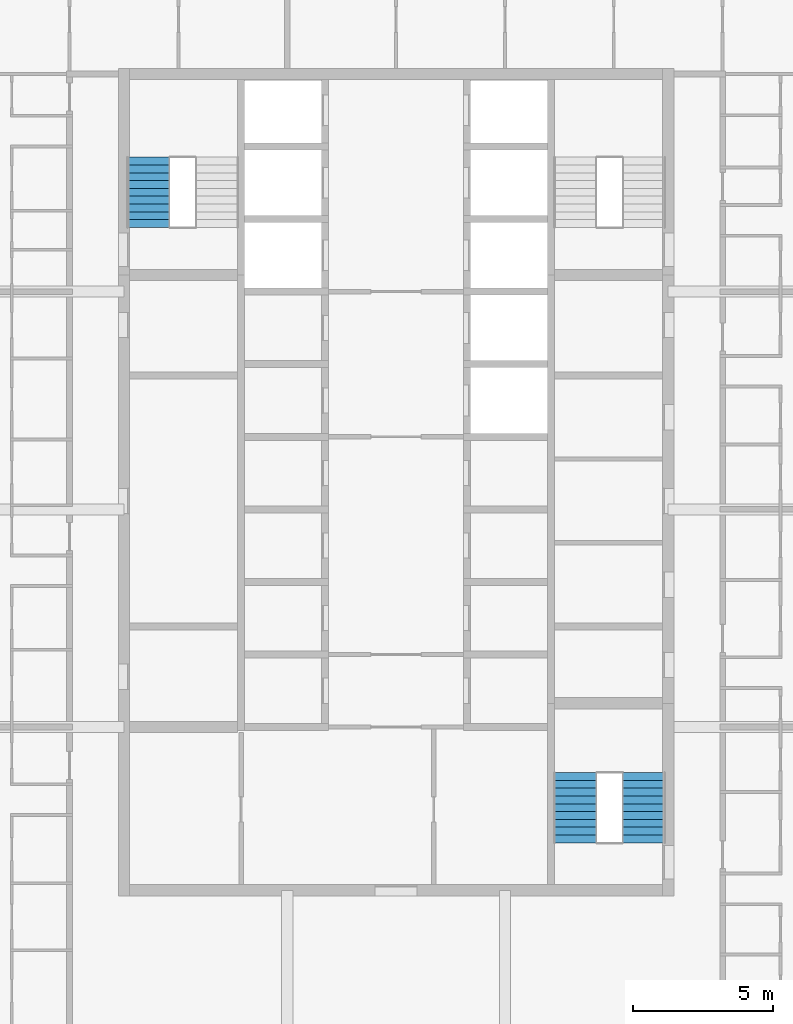
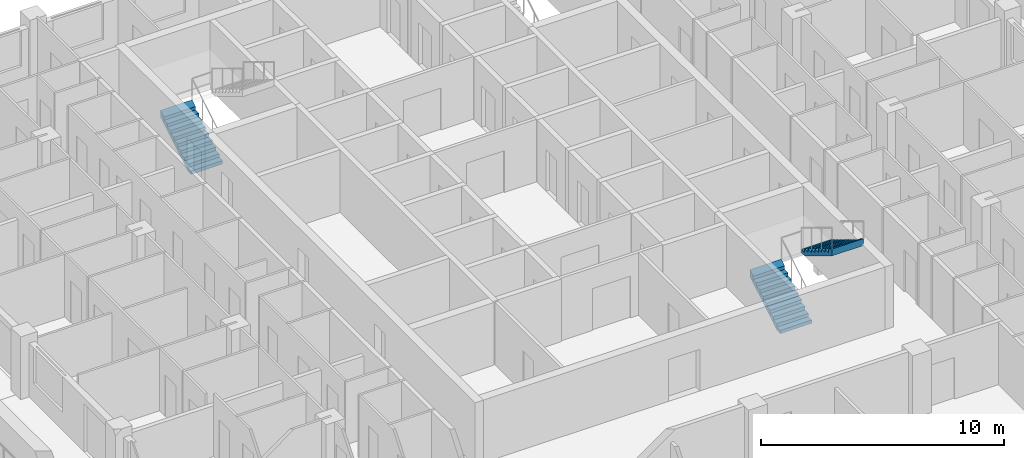
# One storey, part 13 of 15: 3 stair flights, 2 elements without a shape of their own.
"""IFC4 building model written with IfcOpenShell, lengths in metres."""

import ifcopenshell
import ifcopenshell.guid

model = None  # the IFC model being written
_history = None  # IfcOwnerHistory: only IFC2X3 demands one
_inside = {}  # id of a spatial element -> (the spatial element, [elements in it])
_under = {}  # id of a project, library or spatial element -> (it, [spatial elements below it])
_declared = {}  # id of a project -> (the project, [libraries it declares])
_typed = {}  # id of a type object -> (the type object, [elements of that type])
_made_of = {}  # id of a material, layer set ... -> (it, [elements and type objects made of it])


def new_model(schema):
    """Start an empty IFC model of exactly this schema.

    Asked for "IFC4X3", IfcOpenShell would pick the latest addendum, in which some entities
    have other attributes; the version numbers below select the first issue.
    IFC2X3 requires an IfcOwnerHistory on every rooted entity: one is made here for all.
    """
    global model, _history
    if schema == "IFC4X3":
        model = ifcopenshell.file(schema_version=(4, 3, 0, 0))
    else:
        model = ifcopenshell.file(schema=schema)
    _inside.clear()
    _under.clear()
    _declared.clear()
    _typed.clear()
    _made_of.clear()
    _history = None
    if model.schema == "IFC2X3":
        org = make("IfcOrganization", Name="unknown")
        user = make(
            "IfcPersonAndOrganization",
            ThePerson=make("IfcPerson", FamilyName="unknown"),
            TheOrganization=org,
        )
        app = make(
            "IfcApplication",
            ApplicationDeveloper=org,
            Version="unknown",
            ApplicationFullName="unknown",
            ApplicationIdentifier="unknown",
        )
        _history = make(
            "IfcOwnerHistory",
            OwningUser=user,
            OwningApplication=app,
            ChangeAction="ADDED",
            CreationDate=0,
        )
    return model


def make(cls, **values):
    """One entity of the class cls with the attributes given. An attribute that is None is left unset."""
    return model.create_entity(
        cls, **{name: value for name, value in values.items() if value is not None}
    )


def rooted(cls, **values):
    """An entity with a GlobalId (a new one), such as an element, a storey or a relation."""
    return make(cls, GlobalId=ifcopenshell.guid.new(), OwnerHistory=_history, **values)


def si_unit(unit_type, name, prefix=None):
    """IfcSIUnit, for example si_unit("LENGTHUNIT", "METRE", prefix="MILLI")."""
    return make("IfcSIUnit", UnitType=unit_type, Prefix=prefix, Name=name)


def assignment(units):
    """IfcUnitAssignment: the units of a project."""
    return None if units is None else make("IfcUnitAssignment", Units=units)


def point(xyz):
    """IfcCartesianPoint."""
    return None if xyz is None else make("IfcCartesianPoint", Coordinates=xyz)


def direction(xyz):
    """IfcDirection."""
    return None if xyz is None else make("IfcDirection", DirectionRatios=xyz)


def frame(location, z_axis=None, x_axis=None):
    """IfcAxis2Placement3D, a coordinate frame: its origin and axes. An axis left out is left unset."""
    return make(
        "IfcAxis2Placement3D",
        Location=point(location),
        Axis=direction(z_axis),
        RefDirection=direction(x_axis),
    )


def origin():
    """The frame at (0, 0, 0) with its axes left unset."""
    return frame((0.0, 0.0, 0.0))


def place(relative_to, where):
    """IfcLocalPlacement: puts the frame where relative to a parent placement (None: the world)."""
    return make(
        "IfcLocalPlacement", PlacementRelTo=relative_to, RelativePlacement=where
    )


def context(
    kind, dimensions, precision=None, world=None, true_north=None, identifier=None
):
    """IfcGeometricRepresentationContext, for example the 3D "Model" context."""
    return make(
        "IfcGeometricRepresentationContext",
        ContextIdentifier=identifier,
        ContextType=kind,
        CoordinateSpaceDimension=dimensions,
        Precision=precision,
        WorldCoordinateSystem=world,
        TrueNorth=true_north,
    )


def subcontext(parent, identifier, kind, view, scale=None):
    """IfcGeometricRepresentationSubContext, for example "Body" below "Model"."""
    return make(
        "IfcGeometricRepresentationSubContext",
        ContextIdentifier=identifier,
        ContextType=kind,
        ParentContext=parent,
        TargetScale=scale,
        TargetView=view,
    )


def project(units=None, contexts=None):
    """IfcProject with its units and contexts."""
    return rooted(
        "IfcProject",
        Name="project",
        RepresentationContexts=contexts,
        UnitsInContext=assignment(units),
    )


def spatial(cls, under=None, at=None, **own):
    """A site, building, storey or space (cls), placed at a placement, below another one or the project."""
    s = rooted(cls, ObjectPlacement=at, **own)
    if under is not None:
        _under.setdefault(under.id(), (under, []))[1].append(s)
    return s


def point_list(points):
    """IfcCartesianPointList2D or 3D."""
    cls = (
        "IfcCartesianPointList2D" if len(points[0]) == 2 else "IfcCartesianPointList3D"
    )
    return make(cls, CoordList=points)


def triangles(points, corners, closed=None, point_numbers=None):
    """IfcTriangulatedFaceSet: each triangle names its three corners, points numbered from 1."""
    return make(
        "IfcTriangulatedFaceSet",
        Coordinates=point_list(points),
        Closed=closed,
        CoordIndex=corners,
        PnIndex=point_numbers,
    )


def shape(context_of_items, identifier, shape_type, items):
    """IfcShapeRepresentation: the items that make up one representation, for example the "Body"."""
    return make(
        "IfcShapeRepresentation",
        ContextOfItems=context_of_items,
        RepresentationIdentifier=identifier,
        RepresentationType=shape_type,
        Items=items,
    )


def material(Name=None, Category=None):
    """IfcMaterial."""
    return make("IfcMaterial", Name=Name, Category=Category)


def made_of(thing, what):
    """Note that an element or type object is made of a material, layer set ...; save() writes the relation."""
    if what is not None:
        _made_of.setdefault(what.id(), (what, []))[1].append(thing)
    return thing


def type_object(cls, material=None, **own):
    """A type object (cls), such as IfcWallType, which elements share."""
    return made_of(rooted(cls, **own), material)


def element(
    cls,
    number,
    at=None,
    inside=None,
    cuts=None,
    type_object=None,
    material=None,
    context=None,
    identifier="Body",
    shape_type=None,
    held_by="IfcProductDefinitionShape",
    body=None,
    shapes=None,
    **own,
):
    """One element of the class cls, such as IfcWall. Its Tag is "e" and its number.

    at: its placement. inside: the storey or other place that contains it. cuts: it is an
    opening in that element (IfcRelVoidsElement). A single representation is given by context,
    identifier, shape_type and body (its items); several are given by shapes. held_by: the class
    of the entity that holds the representations. save() writes the other relations.
    """
    e = rooted(cls, Tag="e%d" % number, ObjectPlacement=at, **own)
    if body is not None:
        shapes = [shape(context, identifier, shape_type, body)]
    if shapes is not None:
        e.Representation = make(held_by, Representations=shapes)
    if inside is not None:
        _inside.setdefault(inside.id(), (inside, []))[1].append(e)
    if cuts is not None:
        rooted(
            "IfcRelVoidsElement", RelatingBuildingElement=cuts, RelatedOpeningElement=e
        )
    if type_object is not None:
        _typed.setdefault(type_object.id(), (type_object, []))[1].append(e)
    return made_of(e, material)


def aggregate(whole, parts):
    """IfcRelAggregates: a whole, such as a stair, and the parts it consists of."""
    return rooted("IfcRelAggregates", RelatingObject=whole, RelatedObjects=parts)


def save(model, path):
    """Write the relations noted so far, then the file.

    IfcRelAggregates (storeys below a building ...), IfcRelContainedInSpatialStructure (elements
    in a storey), IfcRelDefinesByType, IfcRelAssociatesMaterial and IfcRelDeclares: one each for
    every whole, place, type object, material and project.
    """
    for whole, parts in _under.values():
        aggregate(whole, parts)
    for where, things in _inside.values():
        rooted(
            "IfcRelContainedInSpatialStructure",
            RelatedElements=things,
            RelatingStructure=where,
        )
    for kind, things in _typed.values():
        rooted("IfcRelDefinesByType", RelatedObjects=things, RelatingType=kind)
    for what, things in _made_of.values():
        rooted("IfcRelAssociatesMaterial", RelatedObjects=things, RelatingMaterial=what)
    for by, libraries in _declared.values():
        rooted("IfcRelDeclares", RelatingContext=by, RelatedDefinitions=libraries)
    model.write(path)


model = new_model("IFC4")

# Units and contexts
model_context = context("Model", 3, precision=1e-05, world=origin(), true_north=direction((0.0, 1.0)))
body_context = subcontext(model_context, "Body", "Model", "MODEL_VIEW")
ifc_project = project(units=[si_unit("LENGTHUNIT", "METRE"), si_unit("AREAUNIT", "SQUARE_METRE"), si_unit("VOLUMEUNIT", "CUBIC_METRE"), si_unit("PLANEANGLEUNIT", "RADIAN"), si_unit("MASSUNIT", "GRAM", prefix="KILO")], contexts=[model_context])

# Site, building, storey
site_placement = place(None, origin())
site = spatial("IfcSite", under=ifc_project, at=site_placement, CompositionType="ELEMENT")
building_placement = place(site_placement, origin())
building = spatial("IfcBuilding", under=site, at=building_placement, Name="Ludao Terraces", CompositionType="ELEMENT")
storey_placement = place(building_placement, frame((0.0, 0.0, 197.300048828125)))
storey = spatial("IfcBuildingStorey", under=building, at=storey_placement, Name="L53", CompositionType="ELEMENT", Elevation=197.300048828125)

# Stair, stair flight
ifc_material = material(Name="Concrete C40", Category="concrete")
stair_type = type_object("IfcStairType", Name="INT Stair", PredefinedType="HALF_TURN_STAIR", material=ifc_material)
stair_1_placement = place(storey_placement, origin())
stair_1 = element("IfcStair", 1, at=stair_1_placement, inside=storey, type_object=stair_type, Name="EXIT STAIR 1", PredefinedType="HALF_TURN_STAIR")
stair_flight_type = type_object("IfcStairFlightType", Name="INT Stair flight", PredefinedType="STRAIGHT", material=ifc_material)
stair_flight_1_placement = place(storey_placement, frame((76.125, 79.0, 0.0), z_axis=(0.0, 0.0, 1.0), x_axis=(0.0, 1.0, 0.0)))
stair_flight_1 = element("IfcStairFlight", 2, at=stair_flight_1_placement, type_object=stair_flight_type, Name="ST1 flight 1", NumberOfRisers=10, NumberOfTreads=9, PredefinedType="STRAIGHT", RiserHeight=0.17, TreadLength=0.28, context=body_context, shape_type="Tessellation", body=[
    triangles([(0.0, -0.75, 0.0), (0.0, -0.5, 0.0), (0.0, -0.25, 0.0), (0.0, 0.0, 0.0), (0.0, 0.25, 0.0), (0.0, 0.5, 0.0), (0.0, 0.75, 0.0), (0.0, -0.75, 0.169921875), (0.0, -0.5, 0.169921875), (0.0, -0.25, 0.169921875), (0.0, 0.0, 0.169921875), (0.0, 0.25, 0.169921875), (0.0, 0.5, 0.169921875), (0.0, 0.75, 0.169921875), (0.280029296875, -0.75, 0.169921875), (0.280029296875, -0.5, 0.169921875), (0.280029296875, -0.25, 0.169921875), (0.280029296875, 0.0, 0.169921875), (0.280029296875, 0.25, 0.169921875), (0.280029296875, 0.5, 0.169921875), (0.280029296875, 0.75, 0.169921875), (0.280029296875, -0.75, 0.340087890625), (0.280029296875, -0.5, 0.340087890625), (0.280029296875, -0.25, 0.340087890625), (0.280029296875, 0.0, 0.340087890625), (0.280029296875, 0.25, 0.340087890625), (0.280029296875, 0.5, 0.340087890625), (0.280029296875, 0.75, 0.340087890625), (0.56005859375, -0.75, 0.340087890625), (0.56005859375, -0.5, 0.340087890625), (0.56005859375, -0.25, 0.340087890625), (0.56005859375, 0.0, 0.340087890625), (0.56005859375, 0.25, 0.340087890625), (0.56005859375, 0.5, 0.340087890625), (0.56005859375, 0.75, 0.340087890625), (0.56005859375, -0.75, 0.510009765625), (0.56005859375, -0.5, 0.510009765625), (0.56005859375, -0.25, 0.510009765625), (0.56005859375, 0.0, 0.510009765625), (0.56005859375, 0.25, 0.510009765625), (0.56005859375, 0.5, 0.510009765625), (0.56005859375, 0.75, 0.510009765625), (0.840087890625, -0.75, 0.510009765625), (0.840087890625, -0.5, 0.510009765625), (0.840087890625, -0.25, 0.510009765625), (0.840087890625, 0.0, 0.510009765625), (0.840087890625, 0.25, 0.510009765625), (0.840087890625, 0.5, 0.510009765625), (0.840087890625, 0.75, 0.510009765625), (0.840087890625, -0.75, 0.679931640625), (0.840087890625, -0.5, 0.679931640625), (0.840087890625, -0.25, 0.679931640625), (0.840087890625, 0.0, 0.679931640625), (0.840087890625, 0.25, 0.679931640625), (0.840087890625, 0.5, 0.679931640625), (0.840087890625, 0.75, 0.679931640625), (1.1201171875, -0.75, 0.679931640625), (1.1201171875, -0.5, 0.679931640625), (1.1201171875, -0.25, 0.679931640625), (1.1201171875, 0.0, 0.679931640625), (1.1201171875, 0.25, 0.679931640625), (1.1201171875, 0.5, 0.679931640625), (1.1201171875, 0.75, 0.679931640625), (1.1201171875, -0.75, 0.85009765625), (1.1201171875, -0.5, 0.85009765625), (1.1201171875, -0.25, 0.85009765625), (1.1201171875, 0.0, 0.85009765625), (1.1201171875, 0.25, 0.85009765625), (1.1201171875, 0.5, 0.85009765625), (1.1201171875, 0.75, 0.85009765625), (1.39990234375, -0.75, 0.85009765625), (1.39990234375, -0.5, 0.85009765625), (1.39990234375, -0.25, 0.85009765625), (1.39990234375, 0.0, 0.85009765625), (1.39990234375, 0.25, 0.85009765625), (1.39990234375, 0.5, 0.85009765625), (1.39990234375, 0.75, 0.85009765625), (1.39990234375, -0.75, 1.02001953125), (1.39990234375, -0.5, 1.02001953125), (1.39990234375, -0.25, 1.02001953125), (1.39990234375, 0.0, 1.02001953125), (1.39990234375, 0.25, 1.02001953125), (1.39990234375, 0.5, 1.02001953125), (1.39990234375, 0.75, 1.02001953125), (1.679931640625, -0.75, 1.02001953125), (1.679931640625, -0.5, 1.02001953125), (1.679931640625, -0.25, 1.02001953125), (1.679931640625, 0.0, 1.02001953125), (1.679931640625, 0.25, 1.02001953125), (1.679931640625, 0.5, 1.02001953125), (1.679931640625, 0.75, 1.02001953125), (1.679931640625, -0.75, 1.18994140625), (1.679931640625, -0.5, 1.18994140625), (1.679931640625, -0.25, 1.18994140625), (1.679931640625, 0.0, 1.18994140625), (1.679931640625, 0.25, 1.18994140625), (1.679931640625, 0.5, 1.18994140625), (1.679931640625, 0.75, 1.18994140625), (1.9599609375, -0.75, 1.18994140625), (1.9599609375, -0.5, 1.18994140625), (1.9599609375, -0.25, 1.18994140625), (1.9599609375, 0.0, 1.18994140625), (1.9599609375, 0.25, 1.18994140625), (1.9599609375, 0.5, 1.18994140625), (1.9599609375, 0.75, 1.18994140625), (1.9599609375, -0.75, 1.360107421875), (1.9599609375, -0.5, 1.360107421875), (1.9599609375, -0.25, 1.360107421875), (1.9599609375, 0.0, 1.360107421875), (1.9599609375, 0.25, 1.360107421875), (1.9599609375, 0.5, 1.360107421875), (1.9599609375, 0.75, 1.360107421875), (2.239990234375, -0.75, 1.360107421875), (2.239990234375, -0.5, 1.360107421875), (2.239990234375, -0.25, 1.360107421875), (2.239990234375, 0.0, 1.360107421875), (2.239990234375, 0.25, 1.360107421875), (2.239990234375, 0.5, 1.360107421875), (2.239990234375, 0.75, 1.360107421875), (2.239990234375, -0.75, 1.530029296875), (2.239990234375, -0.5, 1.530029296875), (2.239990234375, -0.25, 1.530029296875), (2.239990234375, 0.0, 1.530029296875), (2.239990234375, 0.25, 1.530029296875), (2.239990234375, 0.5, 1.530029296875), (2.239990234375, 0.75, 1.530029296875), (2.52001953125, -0.75, 1.699951171875), (2.52001953125, -0.5, 1.699951171875), (2.52001953125, -0.25, 1.699951171875), (2.52001953125, 0.0, 1.699951171875), (2.52001953125, 0.25, 1.699951171875), (2.52001953125, 0.5, 1.699951171875), (2.52001953125, 0.75, 1.699951171875), (2.52001953125, -0.75, 1.354736328125), (2.52001953125, -0.5, 1.354736328125), (2.52001953125, -0.25, 1.354736328125), (2.52001953125, 0.0, 1.354736328125), (2.52001953125, 0.25, 1.354736328125), (2.52001953125, 0.5, 1.354736328125), (2.52001953125, 0.75, 1.354736328125), (0.288818359375, -0.75, 0.0), (0.288818359375, -0.5, 0.0), (0.288818359375, -0.25, 0.0), (0.288818359375, 0.0, 0.0), (0.288818359375, 0.25, 0.0), (0.288818359375, 0.5, 0.0), (0.288818359375, 0.75, 0.0)], [[1, 141, 134], [7, 140, 147], [134, 127, 120], [140, 126, 133], [134, 120, 113], [140, 119, 126], [134, 113, 106], [140, 112, 119], [134, 106, 99], [140, 105, 112], [99, 92, 85], [105, 91, 98], [134, 99, 85], [140, 91, 105], [85, 78, 71], [91, 77, 84], [134, 85, 71], [140, 77, 91], [71, 64, 57], [77, 63, 70], [134, 71, 57], [140, 63, 77], [57, 50, 43], [63, 49, 56], [134, 57, 43], [140, 49, 63], [43, 36, 29], [49, 35, 42], [134, 43, 29], [140, 35, 49], [29, 22, 15], [35, 21, 28], [134, 29, 15], [140, 21, 35], [1, 134, 15], [7, 21, 140], [15, 8, 1], [21, 7, 14], [1, 9, 2], [1, 8, 9], [2, 10, 3], [2, 9, 10], [3, 11, 4], [3, 10, 11], [4, 12, 5], [4, 11, 12], [5, 13, 6], [5, 12, 13], [6, 14, 7], [6, 13, 14], [8, 16, 9], [8, 15, 16], [9, 17, 10], [9, 16, 17], [10, 18, 11], [10, 17, 18], [11, 19, 12], [11, 18, 19], [12, 20, 13], [12, 19, 20], [13, 21, 14], [13, 20, 21], [15, 23, 16], [15, 22, 23], [16, 24, 17], [16, 23, 24], [17, 25, 18], [17, 24, 25], [18, 26, 19], [18, 25, 26], [19, 27, 20], [19, 26, 27], [20, 28, 21], [20, 27, 28], [22, 30, 23], [22, 29, 30], [23, 31, 24], [23, 30, 31], [24, 32, 25], [24, 31, 32], [25, 33, 26], [25, 32, 33], [26, 34, 27], [26, 33, 34], [27, 35, 28], [27, 34, 35], [29, 37, 30], [29, 36, 37], [30, 38, 31], [30, 37, 38], [31, 39, 32], [31, 38, 39], [32, 40, 33], [32, 39, 40], [33, 41, 34], [33, 40, 41], [34, 42, 35], [34, 41, 42], [36, 44, 37], [36, 43, 44], [37, 45, 38], [37, 44, 45], [38, 46, 39], [38, 45, 46], [39, 47, 40], [39, 46, 47], [40, 48, 41], [40, 47, 48], [41, 49, 42], [41, 48, 49], [43, 51, 44], [43, 50, 51], [44, 52, 45], [44, 51, 52], [45, 53, 46], [45, 52, 53], [46, 54, 47], [46, 53, 54], [47, 55, 48], [47, 54, 55], [48, 56, 49], [48, 55, 56], [50, 58, 51], [50, 57, 58], [51, 59, 52], [51, 58, 59], [52, 60, 53], [52, 59, 60], [53, 61, 54], [53, 60, 61], [54, 62, 55], [54, 61, 62], [55, 63, 56], [55, 62, 63], [57, 65, 58], [57, 64, 65], [58, 66, 59], [58, 65, 66], [59, 67, 60], [59, 66, 67], [60, 68, 61], [60, 67, 68], [61, 69, 62], [61, 68, 69], [62, 70, 63], [62, 69, 70], [64, 72, 65], [64, 71, 72], [65, 73, 66], [65, 72, 73], [66, 74, 67], [66, 73, 74], [67, 75, 68], [67, 74, 75], [68, 76, 69], [68, 75, 76], [69, 77, 70], [69, 76, 77], [71, 79, 72], [71, 78, 79], [72, 80, 73], [72, 79, 80], [73, 81, 74], [73, 80, 81], [74, 82, 75], [74, 81, 82], [75, 83, 76], [75, 82, 83], [76, 84, 77], [76, 83, 84], [78, 86, 79], [78, 85, 86], [79, 87, 80], [79, 86, 87], [80, 88, 81], [80, 87, 88], [81, 89, 82], [81, 88, 89], [82, 90, 83], [82, 89, 90], [83, 91, 84], [83, 90, 91], [85, 93, 86], [85, 92, 93], [86, 94, 87], [86, 93, 94], [87, 95, 88], [87, 94, 95], [88, 96, 89], [88, 95, 96], [89, 97, 90], [89, 96, 97], [90, 98, 91], [90, 97, 98], [92, 100, 93], [92, 99, 100], [93, 101, 94], [93, 100, 101], [94, 102, 95], [94, 101, 102], [95, 103, 96], [95, 102, 103], [96, 104, 97], [96, 103, 104], [97, 105, 98], [97, 104, 105], [99, 107, 100], [99, 106, 107], [100, 108, 101], [100, 107, 108], [101, 109, 102], [101, 108, 109], [102, 110, 103], [102, 109, 110], [103, 111, 104], [103, 110, 111], [104, 112, 105], [104, 111, 112], [106, 114, 107], [106, 113, 114], [107, 115, 108], [107, 114, 115], [108, 116, 109], [108, 115, 116], [109, 117, 110], [109, 116, 117], [110, 118, 111], [110, 117, 118], [111, 119, 112], [111, 118, 119], [113, 121, 114], [113, 120, 121], [114, 122, 115], [114, 121, 122], [115, 123, 116], [115, 122, 123], [116, 124, 117], [116, 123, 124], [117, 125, 118], [117, 124, 125], [118, 126, 119], [118, 125, 126], [120, 128, 121], [120, 127, 128], [121, 129, 122], [121, 128, 129], [122, 130, 123], [122, 129, 130], [123, 131, 124], [123, 130, 131], [124, 132, 125], [124, 131, 132], [125, 133, 126], [125, 132, 133], [127, 135, 128], [127, 134, 135], [128, 136, 129], [128, 135, 136], [129, 137, 130], [129, 136, 137], [130, 138, 131], [130, 137, 138], [131, 139, 132], [131, 138, 139], [132, 140, 133], [132, 139, 140], [134, 142, 135], [134, 141, 142], [135, 143, 136], [135, 142, 143], [136, 144, 137], [136, 143, 144], [137, 145, 138], [137, 144, 145], [138, 146, 139], [138, 145, 146], [139, 147, 140], [139, 146, 147], [141, 2, 142], [141, 1, 2], [142, 3, 143], [142, 2, 3], [143, 4, 144], [143, 3, 4], [144, 5, 145], [144, 4, 5], [145, 6, 146], [145, 5, 6], [146, 7, 147], [146, 6, 7]], closed=True),
])
aggregate(stair_1, [stair_flight_1])

# Stair, stair flights
stair_2_placement = place(storey_placement, origin())
stair_2 = element("IfcStair", 3, at=stair_2_placement, inside=storey, type_object=stair_type, Name="EXIT STAIR 3", PredefinedType="HALF_TURN_STAIR")
stair_flight_2_placement = place(storey_placement, frame((91.425048828125, 56.949951171875, 0.0), z_axis=(0.0, 0.0, 1.0), x_axis=(0.0, 1.0, 0.0)))
stair_flight_2 = element("IfcStairFlight", 4, at=stair_flight_2_placement, type_object=stair_flight_type, Name="ST3 flight 1", NumberOfRisers=10, NumberOfTreads=9, PredefinedType="STRAIGHT", RiserHeight=0.17, TreadLength=0.28, context=body_context, shape_type="Tessellation", body=[
    triangles([(0.0, -0.75, 0.0), (0.0, -0.5, 0.0), (0.0, -0.25, 0.0), (0.0, 0.0, 0.0), (0.0, 0.25, 0.0), (0.0, 0.5, 0.0), (0.0, 0.75, 0.0), (0.0, -0.75, 0.169921875), (0.0, -0.5, 0.169921875), (0.0, -0.25, 0.169921875), (0.0, 0.0, 0.169921875), (0.0, 0.25, 0.169921875), (0.0, 0.5, 0.169921875), (0.0, 0.75, 0.169921875), (0.280029296875, -0.75, 0.169921875), (0.280029296875, -0.5, 0.169921875), (0.280029296875, -0.25, 0.169921875), (0.280029296875, 0.0, 0.169921875), (0.280029296875, 0.25, 0.169921875), (0.280029296875, 0.5, 0.169921875), (0.280029296875, 0.75, 0.169921875), (0.280029296875, -0.75, 0.340087890625), (0.280029296875, -0.5, 0.340087890625), (0.280029296875, -0.25, 0.340087890625), (0.280029296875, 0.0, 0.340087890625), (0.280029296875, 0.25, 0.340087890625), (0.280029296875, 0.5, 0.340087890625), (0.280029296875, 0.75, 0.340087890625), (0.56005859375, -0.75, 0.340087890625), (0.56005859375, -0.5, 0.340087890625), (0.56005859375, -0.25, 0.340087890625), (0.56005859375, 0.0, 0.340087890625), (0.56005859375, 0.25, 0.340087890625), (0.56005859375, 0.5, 0.340087890625), (0.56005859375, 0.75, 0.340087890625), (0.56005859375, -0.75, 0.510009765625), (0.56005859375, -0.5, 0.510009765625), (0.56005859375, -0.25, 0.510009765625), (0.56005859375, 0.0, 0.510009765625), (0.56005859375, 0.25, 0.510009765625), (0.56005859375, 0.5, 0.510009765625), (0.56005859375, 0.75, 0.510009765625), (0.840087890625, -0.75, 0.510009765625), (0.840087890625, -0.5, 0.510009765625), (0.840087890625, -0.25, 0.510009765625), (0.840087890625, 0.0, 0.510009765625), (0.840087890625, 0.25, 0.510009765625), (0.840087890625, 0.5, 0.510009765625), (0.840087890625, 0.75, 0.510009765625), (0.840087890625, -0.75, 0.679931640625), (0.840087890625, -0.5, 0.679931640625), (0.840087890625, -0.25, 0.679931640625), (0.840087890625, 0.0, 0.679931640625), (0.840087890625, 0.25, 0.679931640625), (0.840087890625, 0.5, 0.679931640625), (0.840087890625, 0.75, 0.679931640625), (1.1201171875, -0.75, 0.679931640625), (1.1201171875, -0.5, 0.679931640625), (1.1201171875, -0.25, 0.679931640625), (1.1201171875, 0.0, 0.679931640625), (1.1201171875, 0.25, 0.679931640625), (1.1201171875, 0.5, 0.679931640625), (1.1201171875, 0.75, 0.679931640625), (1.1201171875, -0.75, 0.85009765625), (1.1201171875, -0.5, 0.85009765625), (1.1201171875, -0.25, 0.85009765625), (1.1201171875, 0.0, 0.85009765625), (1.1201171875, 0.25, 0.85009765625), (1.1201171875, 0.5, 0.85009765625), (1.1201171875, 0.75, 0.85009765625), (1.39990234375, -0.75, 0.85009765625), (1.39990234375, -0.5, 0.85009765625), (1.39990234375, -0.25, 0.85009765625), (1.39990234375, 0.0, 0.85009765625), (1.39990234375, 0.25, 0.85009765625), (1.39990234375, 0.5, 0.85009765625), (1.39990234375, 0.75, 0.85009765625), (1.39990234375, -0.75, 1.02001953125), (1.39990234375, -0.5, 1.02001953125), (1.39990234375, -0.25, 1.02001953125), (1.39990234375, 0.0, 1.02001953125), (1.39990234375, 0.25, 1.02001953125), (1.39990234375, 0.5, 1.02001953125), (1.39990234375, 0.75, 1.02001953125), (1.679931640625, -0.75, 1.02001953125), (1.679931640625, -0.5, 1.02001953125), (1.679931640625, -0.25, 1.02001953125), (1.679931640625, 0.0, 1.02001953125), (1.679931640625, 0.25, 1.02001953125), (1.679931640625, 0.5, 1.02001953125), (1.679931640625, 0.75, 1.02001953125), (1.679931640625, -0.75, 1.18994140625), (1.679931640625, -0.5, 1.18994140625), (1.679931640625, -0.25, 1.18994140625), (1.679931640625, 0.0, 1.18994140625), (1.679931640625, 0.25, 1.18994140625), (1.679931640625, 0.5, 1.18994140625), (1.679931640625, 0.75, 1.18994140625), (1.9599609375, -0.75, 1.18994140625), (1.9599609375, -0.5, 1.18994140625), (1.9599609375, -0.25, 1.18994140625), (1.9599609375, 0.0, 1.18994140625), (1.9599609375, 0.25, 1.18994140625), (1.9599609375, 0.5, 1.18994140625), (1.9599609375, 0.75, 1.18994140625), (1.9599609375, -0.75, 1.360107421875), (1.9599609375, -0.5, 1.360107421875), (1.9599609375, -0.25, 1.360107421875), (1.9599609375, 0.0, 1.360107421875), (1.9599609375, 0.25, 1.360107421875), (1.9599609375, 0.5, 1.360107421875), (1.9599609375, 0.75, 1.360107421875), (2.239990234375, -0.75, 1.360107421875), (2.239990234375, -0.5, 1.360107421875), (2.239990234375, -0.25, 1.360107421875), (2.239990234375, 0.0, 1.360107421875), (2.239990234375, 0.25, 1.360107421875), (2.239990234375, 0.5, 1.360107421875), (2.239990234375, 0.75, 1.360107421875), (2.239990234375, -0.75, 1.530029296875), (2.239990234375, -0.5, 1.530029296875), (2.239990234375, -0.25, 1.530029296875), (2.239990234375, 0.0, 1.530029296875), (2.239990234375, 0.25, 1.530029296875), (2.239990234375, 0.5, 1.530029296875), (2.239990234375, 0.75, 1.530029296875), (2.52001953125, -0.75, 1.699951171875), (2.52001953125, -0.5, 1.699951171875), (2.52001953125, -0.25, 1.699951171875), (2.52001953125, 0.0, 1.699951171875), (2.52001953125, 0.25, 1.699951171875), (2.52001953125, 0.5, 1.699951171875), (2.52001953125, 0.75, 1.699951171875), (2.52001953125, -0.75, 1.354736328125), (2.52001953125, -0.5, 1.354736328125), (2.52001953125, -0.25, 1.354736328125), (2.52001953125, 0.0, 1.354736328125), (2.52001953125, 0.25, 1.354736328125), (2.52001953125, 0.5, 1.354736328125), (2.52001953125, 0.75, 1.354736328125), (0.288818359375, -0.75, 0.0), (0.288818359375, -0.5, 0.0), (0.288818359375, -0.25, 0.0), (0.288818359375, 0.0, 0.0), (0.288818359375, 0.25, 0.0), (0.288818359375, 0.5, 0.0), (0.288818359375, 0.75, 0.0)], [[1, 141, 134], [7, 140, 147], [134, 127, 120], [140, 126, 133], [134, 120, 113], [140, 119, 126], [134, 113, 106], [140, 112, 119], [134, 106, 99], [140, 105, 112], [99, 92, 85], [105, 91, 98], [134, 99, 85], [140, 91, 105], [85, 78, 71], [91, 77, 84], [134, 85, 71], [140, 77, 91], [71, 64, 57], [77, 63, 70], [134, 71, 57], [140, 63, 77], [57, 50, 43], [63, 49, 56], [134, 57, 43], [140, 49, 63], [43, 36, 29], [49, 35, 42], [134, 43, 29], [140, 35, 49], [29, 22, 15], [35, 21, 28], [134, 29, 15], [140, 21, 35], [1, 134, 15], [7, 21, 140], [15, 8, 1], [21, 7, 14], [1, 9, 2], [1, 8, 9], [2, 10, 3], [2, 9, 10], [3, 11, 4], [3, 10, 11], [4, 12, 5], [4, 11, 12], [5, 13, 6], [5, 12, 13], [6, 14, 7], [6, 13, 14], [8, 16, 9], [8, 15, 16], [9, 17, 10], [9, 16, 17], [10, 18, 11], [10, 17, 18], [11, 19, 12], [11, 18, 19], [12, 20, 13], [12, 19, 20], [13, 21, 14], [13, 20, 21], [15, 23, 16], [15, 22, 23], [16, 24, 17], [16, 23, 24], [17, 25, 18], [17, 24, 25], [18, 26, 19], [18, 25, 26], [19, 27, 20], [19, 26, 27], [20, 28, 21], [20, 27, 28], [22, 30, 23], [22, 29, 30], [23, 31, 24], [23, 30, 31], [24, 32, 25], [24, 31, 32], [25, 33, 26], [25, 32, 33], [26, 34, 27], [26, 33, 34], [27, 35, 28], [27, 34, 35], [29, 37, 30], [29, 36, 37], [30, 38, 31], [30, 37, 38], [31, 39, 32], [31, 38, 39], [32, 40, 33], [32, 39, 40], [33, 41, 34], [33, 40, 41], [34, 42, 35], [34, 41, 42], [36, 44, 37], [36, 43, 44], [37, 45, 38], [37, 44, 45], [38, 46, 39], [38, 45, 46], [39, 47, 40], [39, 46, 47], [40, 48, 41], [40, 47, 48], [41, 49, 42], [41, 48, 49], [43, 51, 44], [43, 50, 51], [44, 52, 45], [44, 51, 52], [45, 53, 46], [45, 52, 53], [46, 54, 47], [46, 53, 54], [47, 55, 48], [47, 54, 55], [48, 56, 49], [48, 55, 56], [50, 58, 51], [50, 57, 58], [51, 59, 52], [51, 58, 59], [52, 60, 53], [52, 59, 60], [53, 61, 54], [53, 60, 61], [54, 62, 55], [54, 61, 62], [55, 63, 56], [55, 62, 63], [57, 65, 58], [57, 64, 65], [58, 66, 59], [58, 65, 66], [59, 67, 60], [59, 66, 67], [60, 68, 61], [60, 67, 68], [61, 69, 62], [61, 68, 69], [62, 70, 63], [62, 69, 70], [64, 72, 65], [64, 71, 72], [65, 73, 66], [65, 72, 73], [66, 74, 67], [66, 73, 74], [67, 75, 68], [67, 74, 75], [68, 76, 69], [68, 75, 76], [69, 77, 70], [69, 76, 77], [71, 79, 72], [71, 78, 79], [72, 80, 73], [72, 79, 80], [73, 81, 74], [73, 80, 81], [74, 82, 75], [74, 81, 82], [75, 83, 76], [75, 82, 83], [76, 84, 77], [76, 83, 84], [78, 86, 79], [78, 85, 86], [79, 87, 80], [79, 86, 87], [80, 88, 81], [80, 87, 88], [81, 89, 82], [81, 88, 89], [82, 90, 83], [82, 89, 90], [83, 91, 84], [83, 90, 91], [85, 93, 86], [85, 92, 93], [86, 94, 87], [86, 93, 94], [87, 95, 88], [87, 94, 95], [88, 96, 89], [88, 95, 96], [89, 97, 90], [89, 96, 97], [90, 98, 91], [90, 97, 98], [92, 100, 93], [92, 99, 100], [93, 101, 94], [93, 100, 101], [94, 102, 95], [94, 101, 102], [95, 103, 96], [95, 102, 103], [96, 104, 97], [96, 103, 104], [97, 105, 98], [97, 104, 105], [99, 107, 100], [99, 106, 107], [100, 108, 101], [100, 107, 108], [101, 109, 102], [101, 108, 109], [102, 110, 103], [102, 109, 110], [103, 111, 104], [103, 110, 111], [104, 112, 105], [104, 111, 112], [106, 114, 107], [106, 113, 114], [107, 115, 108], [107, 114, 115], [108, 116, 109], [108, 115, 116], [109, 117, 110], [109, 116, 117], [110, 118, 111], [110, 117, 118], [111, 119, 112], [111, 118, 119], [113, 121, 114], [113, 120, 121], [114, 122, 115], [114, 121, 122], [115, 123, 116], [115, 122, 123], [116, 124, 117], [116, 123, 124], [117, 125, 118], [117, 124, 125], [118, 126, 119], [118, 125, 126], [120, 128, 121], [120, 127, 128], [121, 129, 122], [121, 128, 129], [122, 130, 123], [122, 129, 130], [123, 131, 124], [123, 130, 131], [124, 132, 125], [124, 131, 132], [125, 133, 126], [125, 132, 133], [127, 135, 128], [127, 134, 135], [128, 136, 129], [128, 135, 136], [129, 137, 130], [129, 136, 137], [130, 138, 131], [130, 137, 138], [131, 139, 132], [131, 138, 139], [132, 140, 133], [132, 139, 140], [134, 142, 135], [134, 141, 142], [135, 143, 136], [135, 142, 143], [136, 144, 137], [136, 143, 144], [137, 145, 138], [137, 144, 145], [138, 146, 139], [138, 145, 146], [139, 147, 140], [139, 146, 147], [141, 2, 142], [141, 1, 2], [142, 3, 143], [142, 2, 3], [143, 4, 144], [143, 3, 4], [144, 5, 145], [144, 4, 5], [145, 6, 146], [145, 5, 6], [146, 7, 147], [146, 6, 7]], closed=True),
])
stair_flight_3_placement = place(storey_placement, frame((93.875, 59.469970703125, 1.699951171875), z_axis=(0.0, 0.0, 1.0), x_axis=(0.0, -1.0, 0.0)))
stair_flight_3 = element("IfcStairFlight", 5, at=stair_flight_3_placement, type_object=stair_flight_type, Name="ST3 flight 2", NumberOfRisers=10, NumberOfTreads=9, PredefinedType="STRAIGHT", RiserHeight=0.17, TreadLength=0.28, context=body_context, shape_type="Tessellation", body=[
    triangles([(0.0, -0.75, 0.0), (0.0, -0.5, 0.0), (0.0, -0.25, 0.0), (0.0, 0.0, 0.0), (0.0, 0.25, 0.0), (0.0, 0.5, 0.0), (0.0, 0.75, 0.0), (0.0, -0.75, 0.169921875), (0.0, -0.5, 0.169921875), (0.0, -0.25, 0.169921875), (0.0, 0.0, 0.169921875), (0.0, 0.25, 0.169921875), (0.0, 0.5, 0.169921875), (0.0, 0.75, 0.169921875), (0.280029296875, -0.75, 0.169921875), (0.280029296875, -0.5, 0.169921875), (0.280029296875, -0.25, 0.169921875), (0.280029296875, 0.0, 0.169921875), (0.280029296875, 0.25, 0.169921875), (0.280029296875, 0.5, 0.169921875), (0.280029296875, 0.75, 0.169921875), (0.280029296875, -0.75, 0.340087890625), (0.280029296875, -0.5, 0.340087890625), (0.280029296875, -0.25, 0.340087890625), (0.280029296875, 0.0, 0.340087890625), (0.280029296875, 0.25, 0.340087890625), (0.280029296875, 0.5, 0.340087890625), (0.280029296875, 0.75, 0.340087890625), (0.56005859375, -0.75, 0.340087890625), (0.56005859375, -0.5, 0.340087890625), (0.56005859375, -0.25, 0.340087890625), (0.56005859375, 0.0, 0.340087890625), (0.56005859375, 0.25, 0.340087890625), (0.56005859375, 0.5, 0.340087890625), (0.56005859375, 0.75, 0.340087890625), (0.56005859375, -0.75, 0.510009765625), (0.56005859375, -0.5, 0.510009765625), (0.56005859375, -0.25, 0.510009765625), (0.56005859375, 0.0, 0.510009765625), (0.56005859375, 0.25, 0.510009765625), (0.56005859375, 0.5, 0.510009765625), (0.56005859375, 0.75, 0.510009765625), (0.840087890625, -0.75, 0.510009765625), (0.840087890625, -0.5, 0.510009765625), (0.840087890625, -0.25, 0.510009765625), (0.840087890625, 0.0, 0.510009765625), (0.840087890625, 0.25, 0.510009765625), (0.840087890625, 0.5, 0.510009765625), (0.840087890625, 0.75, 0.510009765625), (0.840087890625, -0.75, 0.679931640625), (0.840087890625, -0.5, 0.679931640625), (0.840087890625, -0.25, 0.679931640625), (0.840087890625, 0.0, 0.679931640625), (0.840087890625, 0.25, 0.679931640625), (0.840087890625, 0.5, 0.679931640625), (0.840087890625, 0.75, 0.679931640625), (1.1201171875, -0.75, 0.679931640625), (1.1201171875, -0.5, 0.679931640625), (1.1201171875, -0.25, 0.679931640625), (1.1201171875, 0.0, 0.679931640625), (1.1201171875, 0.25, 0.679931640625), (1.1201171875, 0.5, 0.679931640625), (1.1201171875, 0.75, 0.679931640625), (1.1201171875, -0.75, 0.85009765625), (1.1201171875, -0.5, 0.85009765625), (1.1201171875, -0.25, 0.85009765625), (1.1201171875, 0.0, 0.85009765625), (1.1201171875, 0.25, 0.85009765625), (1.1201171875, 0.5, 0.85009765625), (1.1201171875, 0.75, 0.85009765625), (1.39990234375, -0.75, 0.85009765625), (1.39990234375, -0.5, 0.85009765625), (1.39990234375, -0.25, 0.85009765625), (1.39990234375, 0.0, 0.85009765625), (1.39990234375, 0.25, 0.85009765625), (1.39990234375, 0.5, 0.85009765625), (1.39990234375, 0.75, 0.85009765625), (1.39990234375, -0.75, 1.02001953125), (1.39990234375, -0.5, 1.02001953125), (1.39990234375, -0.25, 1.02001953125), (1.39990234375, 0.0, 1.02001953125), (1.39990234375, 0.25, 1.02001953125), (1.39990234375, 0.5, 1.02001953125), (1.39990234375, 0.75, 1.02001953125), (1.679931640625, -0.75, 1.02001953125), (1.679931640625, -0.5, 1.02001953125), (1.679931640625, -0.25, 1.02001953125), (1.679931640625, 0.0, 1.02001953125), (1.679931640625, 0.25, 1.02001953125), (1.679931640625, 0.5, 1.02001953125), (1.679931640625, 0.75, 1.02001953125), (1.679931640625, -0.75, 1.18994140625), (1.679931640625, -0.5, 1.18994140625), (1.679931640625, -0.25, 1.18994140625), (1.679931640625, 0.0, 1.18994140625), (1.679931640625, 0.25, 1.18994140625), (1.679931640625, 0.5, 1.18994140625), (1.679931640625, 0.75, 1.18994140625), (1.9599609375, -0.75, 1.18994140625), (1.9599609375, -0.5, 1.18994140625), (1.9599609375, -0.25, 1.18994140625), (1.9599609375, 0.0, 1.18994140625), (1.9599609375, 0.25, 1.18994140625), (1.9599609375, 0.5, 1.18994140625), (1.9599609375, 0.75, 1.18994140625), (1.9599609375, -0.75, 1.360107421875), (1.9599609375, -0.5, 1.360107421875), (1.9599609375, -0.25, 1.360107421875), (1.9599609375, 0.0, 1.360107421875), (1.9599609375, 0.25, 1.360107421875), (1.9599609375, 0.5, 1.360107421875), (1.9599609375, 0.75, 1.360107421875), (2.239990234375, -0.75, 1.360107421875), (2.239990234375, -0.5, 1.360107421875), (2.239990234375, -0.25, 1.360107421875), (2.239990234375, 0.0, 1.360107421875), (2.239990234375, 0.25, 1.360107421875), (2.239990234375, 0.5, 1.360107421875), (2.239990234375, 0.75, 1.360107421875), (2.239990234375, -0.75, 1.530029296875), (2.239990234375, -0.5, 1.530029296875), (2.239990234375, -0.25, 1.530029296875), (2.239990234375, 0.0, 1.530029296875), (2.239990234375, 0.25, 1.530029296875), (2.239990234375, 0.5, 1.530029296875), (2.239990234375, 0.75, 1.530029296875), (2.52001953125, -0.75, 1.699951171875), (2.52001953125, -0.5, 1.699951171875), (2.52001953125, -0.25, 1.699951171875), (2.52001953125, 0.0, 1.699951171875), (2.52001953125, 0.25, 1.699951171875), (2.52001953125, 0.5, 1.699951171875), (2.52001953125, 0.75, 1.699951171875), (2.52001953125, -0.75, 1.354736328125), (2.52001953125, -0.5, 1.354736328125), (2.52001953125, -0.25, 1.354736328125), (2.52001953125, 0.0, 1.354736328125), (2.52001953125, 0.25, 1.354736328125), (2.52001953125, 0.5, 1.354736328125), (2.52001953125, 0.75, 1.354736328125), (0.288818359375, -0.75, 0.0), (0.288818359375, -0.5, 0.0), (0.288818359375, -0.25, 0.0), (0.288818359375, 0.0, 0.0), (0.288818359375, 0.25, 0.0), (0.288818359375, 0.5, 0.0), (0.288818359375, 0.75, 0.0)], [[1, 141, 134], [7, 140, 147], [134, 127, 120], [140, 126, 133], [134, 120, 113], [140, 119, 126], [134, 113, 106], [140, 112, 119], [134, 106, 99], [140, 105, 112], [99, 92, 85], [105, 91, 98], [134, 99, 85], [140, 91, 105], [85, 78, 71], [91, 77, 84], [134, 85, 71], [140, 77, 91], [71, 64, 57], [77, 63, 70], [134, 71, 57], [140, 63, 77], [57, 50, 43], [63, 49, 56], [134, 57, 43], [140, 49, 63], [43, 36, 29], [49, 35, 42], [134, 43, 29], [140, 35, 49], [29, 22, 15], [35, 21, 28], [134, 29, 15], [140, 21, 35], [1, 134, 15], [7, 21, 140], [15, 8, 1], [21, 7, 14], [1, 9, 2], [1, 8, 9], [2, 10, 3], [2, 9, 10], [3, 11, 4], [3, 10, 11], [4, 12, 5], [4, 11, 12], [5, 13, 6], [5, 12, 13], [6, 14, 7], [6, 13, 14], [8, 16, 9], [8, 15, 16], [9, 17, 10], [9, 16, 17], [10, 18, 11], [10, 17, 18], [11, 19, 12], [11, 18, 19], [12, 20, 13], [12, 19, 20], [13, 21, 14], [13, 20, 21], [15, 23, 16], [15, 22, 23], [16, 24, 17], [16, 23, 24], [17, 25, 18], [17, 24, 25], [18, 26, 19], [18, 25, 26], [19, 27, 20], [19, 26, 27], [20, 28, 21], [20, 27, 28], [22, 30, 23], [22, 29, 30], [23, 31, 24], [23, 30, 31], [24, 32, 25], [24, 31, 32], [25, 33, 26], [25, 32, 33], [26, 34, 27], [26, 33, 34], [27, 35, 28], [27, 34, 35], [29, 37, 30], [29, 36, 37], [30, 38, 31], [30, 37, 38], [31, 39, 32], [31, 38, 39], [32, 40, 33], [32, 39, 40], [33, 41, 34], [33, 40, 41], [34, 42, 35], [34, 41, 42], [36, 44, 37], [36, 43, 44], [37, 45, 38], [37, 44, 45], [38, 46, 39], [38, 45, 46], [39, 47, 40], [39, 46, 47], [40, 48, 41], [40, 47, 48], [41, 49, 42], [41, 48, 49], [43, 51, 44], [43, 50, 51], [44, 52, 45], [44, 51, 52], [45, 53, 46], [45, 52, 53], [46, 54, 47], [46, 53, 54], [47, 55, 48], [47, 54, 55], [48, 56, 49], [48, 55, 56], [50, 58, 51], [50, 57, 58], [51, 59, 52], [51, 58, 59], [52, 60, 53], [52, 59, 60], [53, 61, 54], [53, 60, 61], [54, 62, 55], [54, 61, 62], [55, 63, 56], [55, 62, 63], [57, 65, 58], [57, 64, 65], [58, 66, 59], [58, 65, 66], [59, 67, 60], [59, 66, 67], [60, 68, 61], [60, 67, 68], [61, 69, 62], [61, 68, 69], [62, 70, 63], [62, 69, 70], [64, 72, 65], [64, 71, 72], [65, 73, 66], [65, 72, 73], [66, 74, 67], [66, 73, 74], [67, 75, 68], [67, 74, 75], [68, 76, 69], [68, 75, 76], [69, 77, 70], [69, 76, 77], [71, 79, 72], [71, 78, 79], [72, 80, 73], [72, 79, 80], [73, 81, 74], [73, 80, 81], [74, 82, 75], [74, 81, 82], [75, 83, 76], [75, 82, 83], [76, 84, 77], [76, 83, 84], [78, 86, 79], [78, 85, 86], [79, 87, 80], [79, 86, 87], [80, 88, 81], [80, 87, 88], [81, 89, 82], [81, 88, 89], [82, 90, 83], [82, 89, 90], [83, 91, 84], [83, 90, 91], [85, 93, 86], [85, 92, 93], [86, 94, 87], [86, 93, 94], [87, 95, 88], [87, 94, 95], [88, 96, 89], [88, 95, 96], [89, 97, 90], [89, 96, 97], [90, 98, 91], [90, 97, 98], [92, 100, 93], [92, 99, 100], [93, 101, 94], [93, 100, 101], [94, 102, 95], [94, 101, 102], [95, 103, 96], [95, 102, 103], [96, 104, 97], [96, 103, 104], [97, 105, 98], [97, 104, 105], [99, 107, 100], [99, 106, 107], [100, 108, 101], [100, 107, 108], [101, 109, 102], [101, 108, 109], [102, 110, 103], [102, 109, 110], [103, 111, 104], [103, 110, 111], [104, 112, 105], [104, 111, 112], [106, 114, 107], [106, 113, 114], [107, 115, 108], [107, 114, 115], [108, 116, 109], [108, 115, 116], [109, 117, 110], [109, 116, 117], [110, 118, 111], [110, 117, 118], [111, 119, 112], [111, 118, 119], [113, 121, 114], [113, 120, 121], [114, 122, 115], [114, 121, 122], [115, 123, 116], [115, 122, 123], [116, 124, 117], [116, 123, 124], [117, 125, 118], [117, 124, 125], [118, 126, 119], [118, 125, 126], [120, 128, 121], [120, 127, 128], [121, 129, 122], [121, 128, 129], [122, 130, 123], [122, 129, 130], [123, 131, 124], [123, 130, 131], [124, 132, 125], [124, 131, 132], [125, 133, 126], [125, 132, 133], [127, 135, 128], [127, 134, 135], [128, 136, 129], [128, 135, 136], [129, 137, 130], [129, 136, 137], [130, 138, 131], [130, 137, 138], [131, 139, 132], [131, 138, 139], [132, 140, 133], [132, 139, 140], [134, 142, 135], [134, 141, 142], [135, 143, 136], [135, 142, 143], [136, 144, 137], [136, 143, 144], [137, 145, 138], [137, 144, 145], [138, 146, 139], [138, 145, 146], [139, 147, 140], [139, 146, 147], [141, 2, 142], [141, 1, 2], [142, 3, 143], [142, 2, 3], [143, 4, 144], [143, 3, 4], [144, 5, 145], [144, 4, 5], [145, 6, 146], [145, 5, 6], [146, 7, 147], [146, 6, 7]], closed=True),
])
aggregate(stair_2, [stair_flight_2, stair_flight_3])

save(model, "model.ifc")
